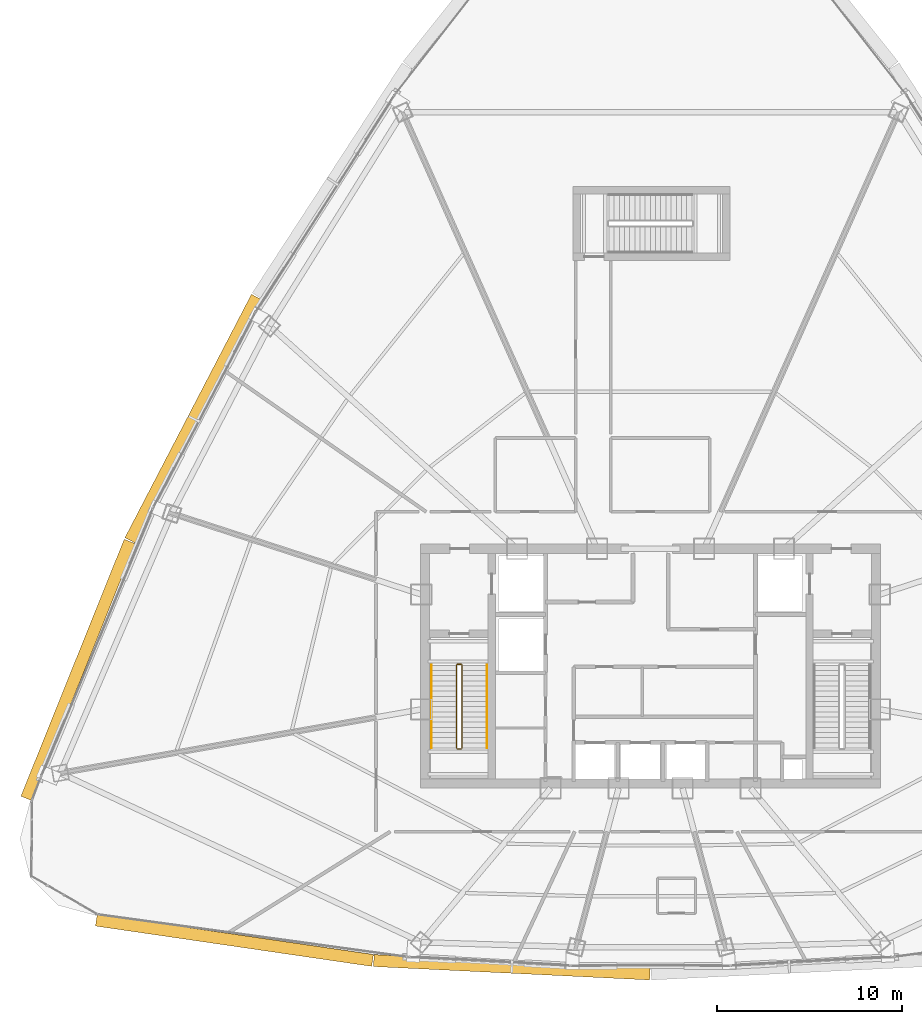
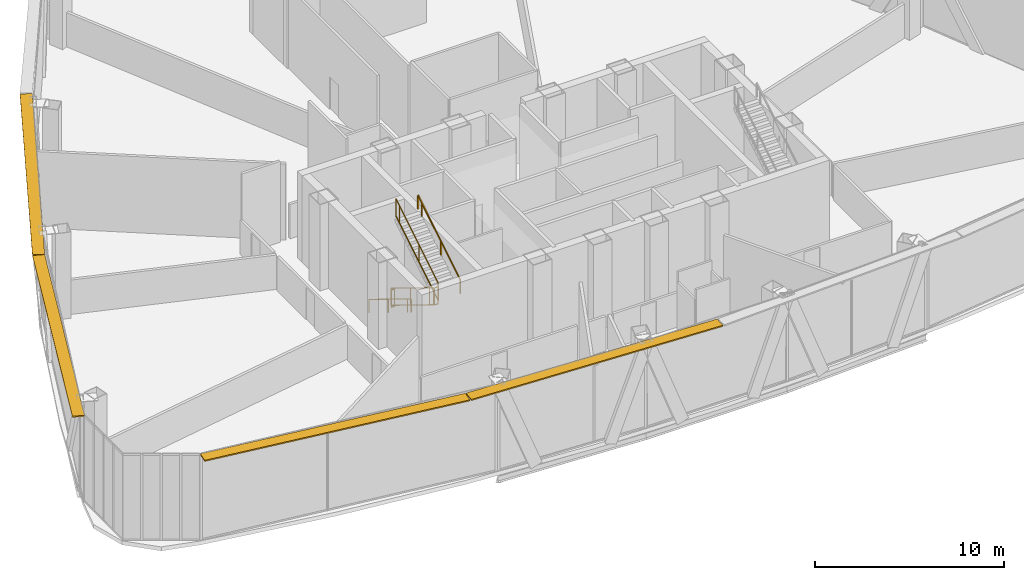
# One storey, part 35 of 38: 6 railings, 4 shading devices.
"""IFC4 building model written with IfcOpenShell, lengths in metres."""

from ifc_helpers import new_model, si_unit, direction, frame, origin, origin_2d, place, context, subcontext, project, spatial, rectangle, extrude, source, transform, mapped, material, layer, layer_set, type_object, element, save


model = new_model("IFC4")

# Units and contexts
model_context = context("Model", 3, precision=1e-05, world=origin(), true_north=direction((0.0, 1.0)))
body_context = subcontext(model_context, "Body", "Model", "MODEL_VIEW")
ifc_project = project(units=[si_unit("LENGTHUNIT", "METRE"), si_unit("AREAUNIT", "SQUARE_METRE"), si_unit("VOLUMEUNIT", "CUBIC_METRE"), si_unit("PLANEANGLEUNIT", "RADIAN"), si_unit("MASSUNIT", "GRAM", prefix="KILO"), si_unit("THERMODYNAMICTEMPERATUREUNIT", "KELVIN"), si_unit("POWERUNIT", "WATT")], contexts=[model_context])

# Site, building, storey
site_placement = place(None, origin())
site = spatial("IfcSite", under=ifc_project, at=site_placement, CompositionType="ELEMENT")
building_placement = place(site_placement, origin())
building = spatial("IfcBuilding", under=site, at=building_placement, Name="Yunzhuo Pagoda Commons", CompositionType="ELEMENT")
storey_placement = place(building_placement, frame((0.0, 0.0, 266.909912109375)))
storey = spatial("IfcBuildingStorey", under=building, at=storey_placement, Name="L67", CompositionType="ELEMENT", Elevation=266.909912109375)

# Railings
ifc_material = material(Name="Anodized aluminium 6063-T6", Category="aluminium")
railing_type_1 = type_object("IfcRailingType", Name="GR-ST1 Stair Well Guardrail 1150", PredefinedType="GUARDRAIL", material=ifc_material)
railing_1_placement = place(storey_placement, frame((37.5, 33.89990234375, 0.172119140625)))
element("IfcRailing", 1, at=railing_1_placement, inside=storey, type_object=railing_type_1, Name="L67 ST1 stair guard 1", PredefinedType="GUARDRAIL", context=body_context, shape_type="SweptSolid", body=[
    extrude(rectangle(XDim=0.048095703125, YDim=0.048095703125, at=origin_2d()), frame((0.0, 0.0, 1.1259765625), z_axis=(0.0, -0.851996104429, 0.523548123899), x_axis=(1.0, 0.0, 0.0)), (0.0, 0.0, 1.0), 5.25830078125),
    extrude(rectangle(XDim=0.048095703125, YDim=0.048095703125, at=origin_2d()), frame((0.0, 0.0, 0.02392578125), z_axis=(0.0, -0.851996104429, 0.523548123899), x_axis=(1.0, 0.0, 0.0)), (0.0, 0.0, 1.0), 5.25830078125),
    extrude(rectangle(XDim=0.0419921875, YDim=0.0419921875, at=origin_2d()), origin(), (0.0, 0.0, 1.0), 1.101806640625),
    extrude(rectangle(XDim=0.0419921875, YDim=0.0419921875, at=origin_2d()), frame((0.0, -2.044677734375, 1.256591796875)), (0.0, 0.0, 1.0), 1.101806640625),
    extrude(rectangle(XDim=0.0419921875, YDim=0.0419921875, at=origin_2d()), frame((0.0, -4.089599609375, 2.512939453125)), (0.0, 0.0, 1.0), 1.101806640625),
    extrude(rectangle(XDim=0.0419921875, YDim=0.0419921875, at=origin_2d()), frame((0.0, -4.47998046875, 2.7529296875)), (0.0, 0.0, 1.0), 1.101806640625),
])
railing_2_placement = place(storey_placement, frame((37.550048828125, 29.3701171875, 2.925048828125)))
element("IfcRailing", 2, at=railing_2_placement, inside=storey, type_object=railing_type_1, Name="L67 ST1 stair guard 2", PredefinedType="GUARDRAIL", context=body_context, shape_type="SweptSolid", body=[
    extrude(rectangle(XDim=0.048095703125, YDim=0.048095703125, at=origin_2d()), frame((0.0, 0.0, 1.1259765625), z_axis=(1.0, 0.0, 0.0), x_axis=(0.0, 1.0, 0.0)), (0.0, 0.0, 1.0), 0.199951171875),
    extrude(rectangle(XDim=0.048095703125, YDim=0.048095703125, at=origin_2d()), frame((0.0, 0.0, 0.02392578125), z_axis=(1.0, 0.0, 0.0), x_axis=(0.0, 1.0, 0.0)), (0.0, 0.0, 1.0), 0.199951171875),
    extrude(rectangle(XDim=0.0419921875, YDim=0.0419921875, at=origin_2d()), origin(), (0.0, 0.0, 1.0), 1.101806640625),
    extrude(rectangle(XDim=0.0419921875, YDim=0.0419921875, at=origin_2d()), frame((0.199951171875, 0.0, 0.0)), (0.0, 0.0, 1.0), 1.101806640625),
])
railing_3_placement = place(storey_placement, frame((37.800048828125, 29.419921875, 3.09716796875)))
element("IfcRailing", 3, at=railing_3_placement, inside=storey, type_object=railing_type_1, Name="L67 ST1 stair guard 3", PredefinedType="GUARDRAIL", context=body_context, shape_type="SweptSolid", body=[
    extrude(rectangle(XDim=0.048095703125, YDim=0.048095703125, at=origin_2d()), frame((0.0, 0.0, 1.1259765625), z_axis=(0.0, 0.851996104429, 0.523548123899), x_axis=(-1.0, 0.0, 0.0)), (0.0, 0.0, 1.0), 5.25830078125),
    extrude(rectangle(XDim=0.048095703125, YDim=0.048095703125, at=origin_2d()), frame((0.0, 0.0, 0.02392578125), z_axis=(0.0, 0.851996104429, 0.523548123899), x_axis=(-1.0, 0.0, 0.0)), (0.0, 0.0, 1.0), 5.25830078125),
    extrude(rectangle(XDim=0.0419921875, YDim=0.0419921875, at=origin_2d()), origin(), (0.0, 0.0, 1.0), 1.101806640625),
    extrude(rectangle(XDim=0.0419921875, YDim=0.0419921875, at=origin_2d()), frame((0.0, 2.044677734375, 1.256591796875)), (0.0, 0.0, 1.0), 1.101806640625),
    extrude(rectangle(XDim=0.0419921875, YDim=0.0419921875, at=origin_2d()), frame((0.0, 4.089599609375, 2.512939453125)), (0.0, 0.0, 1.0), 1.101806640625),
    extrude(rectangle(XDim=0.0419921875, YDim=0.0419921875, at=origin_2d()), frame((0.0, 4.47998046875, 2.7529296875)), (0.0, 0.0, 1.0), 1.101806640625),
])
railing_4_placement = place(storey_placement, frame((37.550048828125, 33.949951171875, 0.0)))
element("IfcRailing", 4, at=railing_4_placement, inside=storey, type_object=railing_type_1, Name="L67 ST1 stair guard 4", PredefinedType="GUARDRAIL", context=body_context, shape_type="SweptSolid", body=[
    extrude(rectangle(XDim=0.048095703125, YDim=0.048095703125, at=origin_2d()), frame((0.0, 0.0, 1.1259765625), z_axis=(1.0, 0.0, 0.0), x_axis=(0.0, 1.0, 0.0)), (0.0, 0.0, 1.0), 0.199951171875),
    extrude(rectangle(XDim=0.048095703125, YDim=0.048095703125, at=origin_2d()), frame((0.0, 0.0, 0.02392578125), z_axis=(1.0, 0.0, 0.0), x_axis=(0.0, 1.0, 0.0)), (0.0, 0.0, 1.0), 0.199951171875),
    extrude(rectangle(XDim=0.0419921875, YDim=0.0419921875, at=origin_2d()), origin(), (0.0, 0.0, 1.0), 1.101806640625),
    extrude(rectangle(XDim=0.0419921875, YDim=0.0419921875, at=origin_2d()), frame((0.199951171875, 0.0, 0.0)), (0.0, 0.0, 1.0), 1.101806640625),
])
railing_type_2 = type_object("IfcRailingType", Name="HR-ST1 Stair Handrail 900", PredefinedType="HANDRAIL", material=ifc_material)
railing_5_placement = place(storey_placement, frame((36.14990234375, 33.89990234375, 0.172119140625)))
element("IfcRailing", 5, at=railing_5_placement, inside=storey, type_object=railing_type_2, Name="L67 ST1 stair handrail 1", PredefinedType="HANDRAIL", context=body_context, shape_type="SweptSolid", body=[
    extrude(rectangle(XDim=0.048095703125, YDim=0.048095703125, at=origin_2d()), frame((0.0, 0.0, 0.8759765625), z_axis=(0.0, -0.851996104429, 0.523548123899), x_axis=(1.0, 0.0, 0.0)), (0.0, 0.0, 1.0), 5.25830078125),
    extrude(rectangle(XDim=0.0419921875, YDim=0.0419921875, at=origin_2d()), origin(), (0.0, 0.0, 1.0), 0.851806640625),
    extrude(rectangle(XDim=0.0419921875, YDim=0.0419921875, at=origin_2d()), frame((0.0, -2.044677734375, 1.256591796875)), (0.0, 0.0, 1.0), 0.851806640625),
    extrude(rectangle(XDim=0.0419921875, YDim=0.0419921875, at=origin_2d()), frame((0.0, -4.089599609375, 2.512939453125)), (0.0, 0.0, 1.0), 0.851806640625),
    extrude(rectangle(XDim=0.0419921875, YDim=0.0419921875, at=origin_2d()), frame((0.0, -4.47998046875, 2.7529296875)), (0.0, 0.0, 1.0), 0.851806640625),
])
railing_6_placement = place(storey_placement, frame((39.14990234375, 29.419921875, 3.09716796875)))
element("IfcRailing", 6, at=railing_6_placement, inside=storey, type_object=railing_type_2, Name="L67 ST1 stair handrail 2", PredefinedType="HANDRAIL", context=body_context, shape_type="SweptSolid", body=[
    extrude(rectangle(XDim=0.048095703125, YDim=0.048095703125, at=origin_2d()), frame((0.0, 0.0, 0.8759765625), z_axis=(0.0, 0.851996104429, 0.523548123899), x_axis=(-1.0, 0.0, 0.0)), (0.0, 0.0, 1.0), 5.25830078125),
    extrude(rectangle(XDim=0.0419921875, YDim=0.0419921875, at=origin_2d()), origin(), (0.0, 0.0, 1.0), 0.851806640625),
    extrude(rectangle(XDim=0.0419921875, YDim=0.0419921875, at=origin_2d()), frame((0.0, 2.044677734375, 1.256591796875)), (0.0, 0.0, 1.0), 0.851806640625),
    extrude(rectangle(XDim=0.0419921875, YDim=0.0419921875, at=origin_2d()), frame((0.0, 4.089599609375, 2.512939453125)), (0.0, 0.0, 1.0), 0.851806640625),
    extrude(rectangle(XDim=0.0419921875, YDim=0.0419921875, at=origin_2d()), frame((0.0, 4.47998046875, 2.7529296875)), (0.0, 0.0, 1.0), 0.851806640625),
])

# Shading devices
ifc_layer = layer(ifc_material, 0.080078125)
ifc_layer_set = layer_set([ifc_layer], Name="Anodized aluminium 6063-T6")
shading_device_type = type_object("IfcShadingDeviceType", Name="SH-SUN1 Pagoda Horizontal Sunshade Eave 650", PredefinedType="USERDEFINED", material=ifc_layer_set)
shared_shape_1 = source(origin(), body_context, "Body", "SweptSolid", [
    extrude(rectangle(XDim=15.102294921875, YDim=0.64990234375, at=origin_2d()), origin(), (0.0, 0.0, 1.0), 0.080078125),
])
shading_device_1_placement = place(storey_placement, frame((25.489990234375, 19.023193359375, 5.489990234375), z_axis=(0.0, 0.0, 1.0), x_axis=(0.989510666697, -0.144459823108, 0.0)))
element("IfcShadingDevice", 7, at=shading_device_1_placement, inside=storey, type_object=shading_device_type, Name="L67 horizontal pagoda sunshade eave F1.1", ObjectType="SUNSHADE", PredefinedType="USERDEFINED", context=body_context, shape_type="MappedRepresentation", body=[
    mapped(shared_shape_1, transform((0.0, 0.0, 0.0), scale=1.0)),
])
shared_shape_2 = source(origin(), body_context, "Body", "SweptSolid", [
    extrude(rectangle(XDim=14.961181640625, YDim=0.64990234375, at=origin_2d()), origin(), (0.0, 0.0, 1.0), 0.080078125),
])
shading_device_2_placement = place(storey_placement, frame((40.49658203125, 17.5625, 5.489990234375), z_axis=(0.0, 0.0, 1.0), x_axis=(0.998818043775, -0.04860571396, 0.0)))
element("IfcShadingDevice", 8, at=shading_device_2_placement, inside=storey, type_object=shading_device_type, Name="L67 horizontal pagoda sunshade eave F1.2", ObjectType="SUNSHADE", PredefinedType="USERDEFINED", context=body_context, shape_type="MappedRepresentation", body=[
    mapped(shared_shape_2, transform((0.0, 0.0, 0.0), scale=1.0)),
])
shared_shape_3 = source(origin(), body_context, "Body", "SweptSolid", [
    extrude(rectangle(XDim=14.98095703125, YDim=0.64990234375, at=origin_2d()), origin(), (0.0, 0.0, 1.0), 0.080078125),
])
shading_device_3_placement = place(storey_placement, frame((17.0322265625, 33.64599609375, 5.489990234375), z_axis=(0.0, 0.0, 1.0), x_axis=(-0.372987782576, -0.927836253899, 0.0)))
element("IfcShadingDevice", 9, at=shading_device_3_placement, inside=storey, type_object=shading_device_type, Name="L67 horizontal pagoda sunshade eave F3.4", ObjectType="SUNSHADE", PredefinedType="USERDEFINED", context=body_context, shape_type="MappedRepresentation", body=[
    mapped(shared_shape_3, transform((0.0, 0.0, 0.0), scale=1.0)),
])
shared_shape_4 = source(origin(), body_context, "Body", "SweptSolid", [
    extrude(rectangle(XDim=14.838623046875, YDim=0.64990234375, at=origin_2d()), origin(), (0.0, 0.0, 1.0), 0.080078125),
])
shading_device_4_placement = place(storey_placement, frame((23.2744140625, 47.236572265625, 5.489990234375), z_axis=(0.0, 0.0, 1.0), x_axis=(-0.461206683033, -0.88729273384, 0.0)))
element("IfcShadingDevice", 10, at=shading_device_4_placement, inside=storey, type_object=shading_device_type, Name="L67 horizontal pagoda sunshade eave F3.3", ObjectType="SUNSHADE", PredefinedType="USERDEFINED", context=body_context, shape_type="MappedRepresentation", body=[
    mapped(shared_shape_4, transform((0.0, 0.0, 0.0), scale=1.0)),
])

save(model, "model.ifc")
